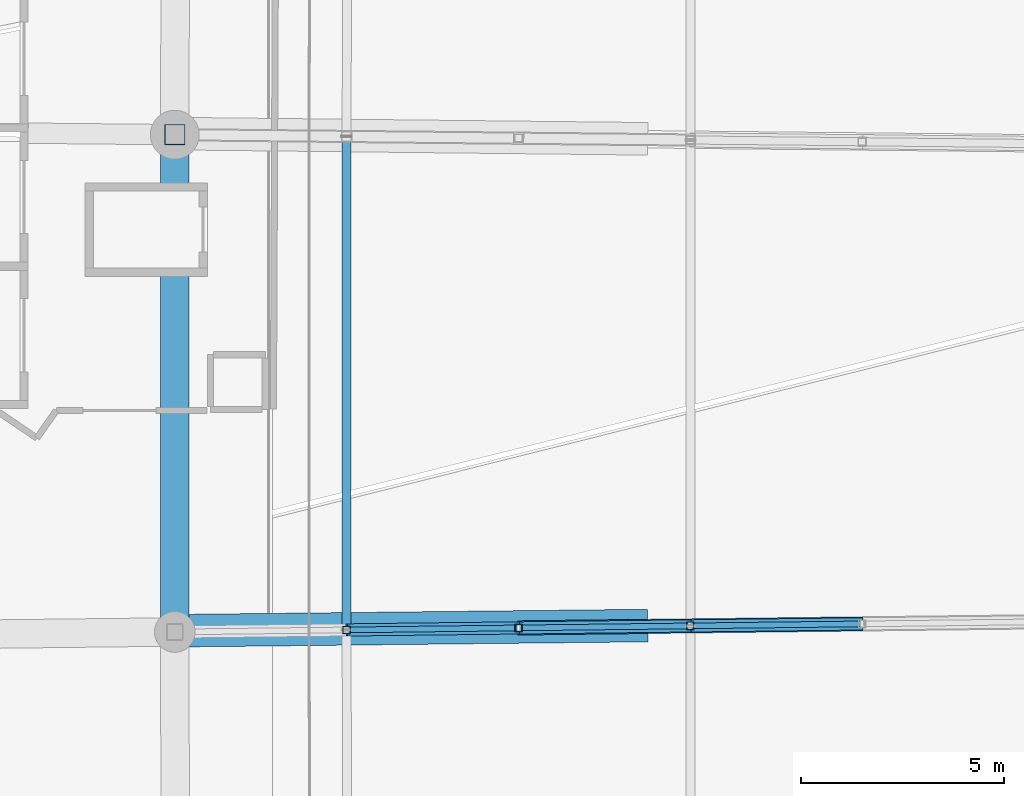
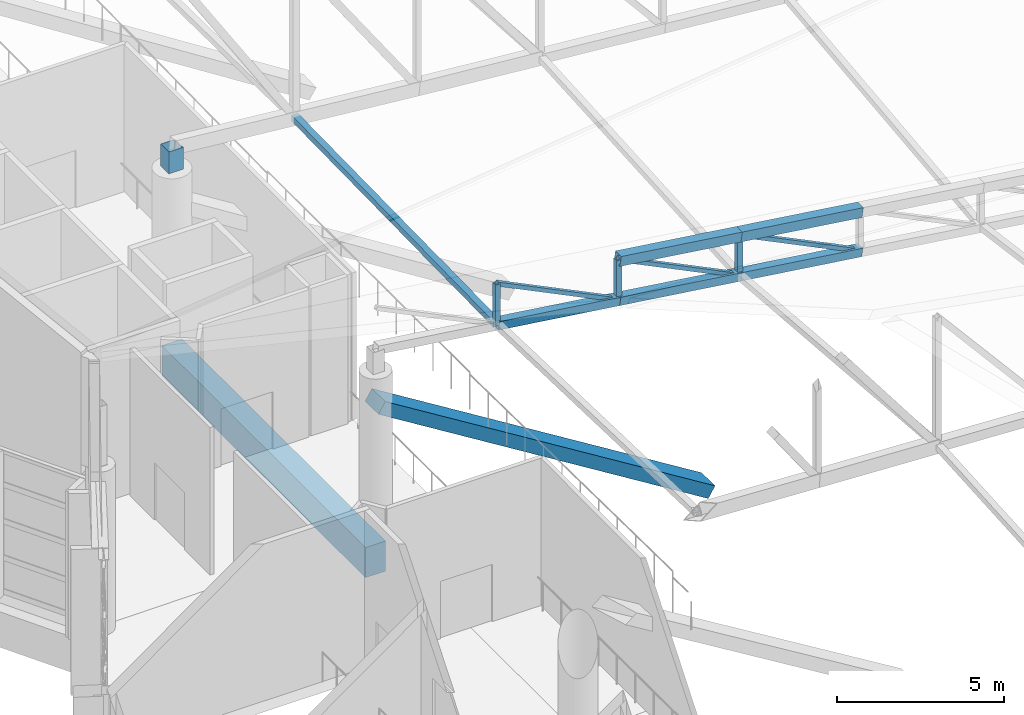
# One storey, part 59 of 344: 13 members, 2 beams.
"""IFC4 building model written with IfcOpenShell, lengths in metres."""

from ifc_helpers import new_model, si_unit, direction, frame, origin, origin_2d, place, context, subcontext, project, spatial, rectangle, hollow_rectangle, extrude, material, material_profile, profile_set, type_object, element, save


model = new_model("IFC4")

# Units and contexts
model_context = context("Model", 3, precision=1e-05, world=origin(), true_north=direction((0.0, 1.0)))
body_context = subcontext(model_context, "Body", "Model", "MODEL_VIEW")
ifc_project = project(units=[si_unit("LENGTHUNIT", "METRE"), si_unit("AREAUNIT", "SQUARE_METRE"), si_unit("VOLUMEUNIT", "CUBIC_METRE"), si_unit("PLANEANGLEUNIT", "RADIAN"), si_unit("MASSUNIT", "GRAM", prefix="KILO")], contexts=[model_context])

# Site, building, storey
site_placement = place(None, origin())
site = spatial("IfcSite", under=ifc_project, at=site_placement, CompositionType="ELEMENT")
building_placement = place(site_placement, origin())
building = spatial("IfcBuilding", under=site, at=building_placement, Name="Meseta Stadium", CompositionType="ELEMENT")
storey_placement = place(building_placement, frame((0.0, 0.0, 24.0)))
storey = spatial("IfcBuildingStorey", under=building, at=storey_placement, Name="L04", CompositionType="ELEMENT", Elevation=24.0)

# Beams
ifc_material_1 = material(Name="Concrete C40/50", Category="concrete")
ifc_material_profile_1 = material_profile(ifc_material_1, rectangle(XDim=0.699951171875, YDim=1.10009765625, at=origin_2d()), Name="RC 700x1100")
ifc_profile_set_1 = profile_set([ifc_material_profile_1], Name="Concrete C40/50")
beam_type_1 = type_object("IfcBeamType", Name="RC beam 700x1100", PredefinedType="BEAM", material=ifc_profile_set_1)
beam_1_placement = place(storey_placement, frame((-84.99755859375, 6.081298828125, -0.949951171875), z_axis=(3.9962435e-05, -0.999999999202, 0.0), x_axis=(0.999999999202, 3.9962435e-05, 0.0)))
element("IfcBeam", 1, at=beam_1_placement, inside=storey, type_object=beam_type_1, Name="L04 ring beam frame 32 line P", PredefinedType="BEAM", context=body_context, shape_type="SweptSolid", body=[
    extrude(rectangle(XDim=0.699951171875, YDim=1.10009765625, at=origin_2d()), origin(), (0.0, 0.0, 1.0), 12.218505859375),
])
ifc_material_2 = material(Name="Concrete C40/50", Category="concrete")
ifc_material_profile_2 = material_profile(ifc_material_2, rectangle(XDim=0.800048828125, YDim=0.449951171875, at=origin_2d()), Name="RC 800x450")
ifc_profile_set_2 = profile_set([ifc_material_profile_2], Name="Concrete C40/50")
beam_type_2 = type_object("IfcBeamType", Name="RC raker upper rear 800x450", PredefinedType="USERDEFINED", material=ifc_profile_set_2)
beam_2_placement = place(storey_placement, frame((-73.498046875, -5.981201171875, -2.3662109375), z_axis=(-0.847962583071, -0.009307587003, 0.529974364036), x_axis=(0.010975751222, -0.999939764628, 0.0)))
element("IfcBeam", 2, at=beam_2_placement, inside=storey, type_object=beam_type_2, Name="Raker upper rear frame 33 upper tier", ObjectType="RAKER", PredefinedType="USERDEFINED", context=body_context, shape_type="SweptSolid", body=[
    extrude(rectangle(XDim=0.800048828125, YDim=0.449951171875, at=origin_2d()), origin(), (0.0, 0.0, 1.0), 13.56103515625),
])

# Members
ifc_material_3 = material(Name="Steel S355", Category="steel")
ifc_material_profile_3 = material_profile(ifc_material_3, hollow_rectangle(XDim=0.139892578125, YDim=0.139892578125, WallThickness=0.0048828125, at=origin_2d()), Name="SHS 140x140x5")
ifc_profile_set_3 = profile_set([ifc_material_profile_3], Name="Steel S355")
member_type_1 = type_object("IfcMemberType", Name="SHS 140x140x5 diagonal", PredefinedType="BRACE", material=ifc_profile_set_3)
for number, where, z_axis, x_axis, name in (
    (3, (-68.109375, -5.938720703125, 4.3486328125), (-0.896122355516, -0.010519449382, 0.443682392178), (0.011738045144, -0.999931106775, 0.0), "ROOF TRUSS RT-33 diagonal"),
    (4, (-72.331298828125, -5.98828125, 4.96142578125), (-0.896121865822, -0.010571263553, 0.443682149723), (0.011795860001, -0.999930426423, 0.0), "ROOF TRUSS RT-33 diagonal"),
    (5, (-76.55322265625, -6.0380859375, 5.57421875), (-0.896122355516, -0.010519449382, 0.443682392178), (0.011738045144, -0.999931106775, 0.0), "ROOF TRUSS RT-33 diagonal"),
):
    element("IfcMember", number, at=place(storey_placement, frame(where, z_axis=z_axis, x_axis=x_axis)), inside=storey, type_object=member_type_1, Name=name, PredefinedType="BRACE", context=body_context, shape_type="SweptSolid", body=[
        extrude(hollow_rectangle(XDim=0.139892578125, YDim=0.139892578125, WallThickness=0.0048828125, at=origin_2d()), origin(), (0.0, 0.0, 1.0), 4.71142578125),
    ])
ifc_material_4 = material(Name="Steel S355", Category="steel")
ifc_material_profile_4 = material_profile(ifc_material_4, hollow_rectangle(XDim=0.179931640625, YDim=0.179931640625, WallThickness=0.00634765625, at=origin_2d()), Name="SHS 180x180x6.3")
ifc_profile_set_4 = profile_set([ifc_material_profile_4], Name="Steel S355")
member_type_2 = type_object("IfcMemberType", Name="SHS 180x180x6.3 post", PredefinedType="POST", material=ifc_profile_set_4)
for number, where, z_axis, x_axis, name in (
    (6, (-72.331298828125, -5.98828125, 4.96142578125), (0.0, 0.0, 1.0), (1.0, 0.0, 0.0), "ROOF TRUSS RT-33 post"),
    (7, (-76.55322265625, -6.0380859375, 5.57421875), (0.0, 0.0, 1.0), (1.0, 0.0, 0.0), "ROOF TRUSS RT-33 post"),
):
    element("IfcMember", number, at=place(storey_placement, frame(where, z_axis=z_axis, x_axis=x_axis)), inside=storey, type_object=member_type_2, Name=name, PredefinedType="POST", context=body_context, shape_type="SweptSolid", body=[
        extrude(hollow_rectangle(XDim=0.179931640625, YDim=0.179931640625, WallThickness=0.00634765625, at=origin_2d()), origin(), (0.0, 0.0, 1.0), 1.4775390625),
    ])
member_1_placement = place(storey_placement, frame((-80.775146484375, -6.087646484375, 6.187255859375), z_axis=(0.0, 0.0, 1.0), x_axis=(1.0, 0.0, 0.0)))
element("IfcMember", 8, at=member_1_placement, inside=storey, type_object=member_type_2, Name="ROOF TRUSS RT-33 post", PredefinedType="POST", context=body_context, shape_type="SweptSolid", body=[
    extrude(hollow_rectangle(XDim=0.179931640625, YDim=0.179931640625, WallThickness=0.00634765625, at=origin_2d()), origin(), (0.0, 0.0, 1.0), 1.477294921875),
])
ifc_material_5 = material(Name="Steel S355", Category="steel")
ifc_material_profile_5 = material_profile(ifc_material_5, hollow_rectangle(XDim=0.219970703125, YDim=0.219970703125, WallThickness=0.008056640625, at=origin_2d()), Name="SHS 220x220x8")
ifc_profile_set_5 = profile_set([ifc_material_profile_5], Name="Steel S355")
member_type_3 = type_object("IfcMemberType", Name="SHS 220x220x8 strut", PredefinedType="STRUT", material=ifc_profile_set_5)
member_2_placement = place(storey_placement, frame((-80.775634765625, 6.0380859375, 6.395263671875), z_axis=(4.0262263e-05, -0.999852897554, -0.017151723855), x_axis=(0.999999999189, 4.0268186e-05, 0.0)))
element("IfcMember", 9, at=member_2_placement, inside=storey, type_object=member_type_3, Name="ROOF TRUSS STRUT RT-32/33", PredefinedType="STRUT", context=body_context, shape_type="SweptSolid", body=[
    extrude(hollow_rectangle(XDim=0.219970703125, YDim=0.219970703125, WallThickness=0.008056640625, at=origin_2d()), origin(), (0.0, 0.0, 1.0), 12.12744140625),
])
ifc_material_6 = material(Name="Steel S355", Category="steel")
ifc_material_profile_6 = material_profile(ifc_material_6, hollow_rectangle(XDim=0.300048828125, YDim=0.300048828125, WallThickness=0.010009765625, at=origin_2d()), Name="SHS 300x300x10")
ifc_profile_set_6 = profile_set([ifc_material_profile_6], Name="Steel S355")
member_type_4 = type_object("IfcMemberType", Name="SHS 300x300x10 bottom chord", PredefinedType="CHORD", material=ifc_profile_set_6)
for number, where, z_axis, x_axis, name in (
    (10, (-68.109375, -5.938720703125, 4.3486328125), (-0.989563195146, -0.011616337744, 0.143630579993), (0.011738045144, -0.999931106775, 0.0), "ROOF TRUSS RT-33 bottom chord"),
    (11, (-72.331298828125, -5.98828125, 4.96142578125), (-0.989562535739, -0.011673553304, 0.143630484283), (0.011795860001, -0.999930426423, 0.0), "ROOF TRUSS RT-33 bottom chord"),
):
    element("IfcMember", number, at=place(storey_placement, frame(where, z_axis=z_axis, x_axis=x_axis)), inside=storey, type_object=member_type_4, Name=name, PredefinedType="CHORD", context=body_context, shape_type="SweptSolid", body=[
        extrude(hollow_rectangle(XDim=0.300048828125, YDim=0.300048828125, WallThickness=0.010009765625, at=origin_2d()), origin(), (0.0, 0.0, 1.0), 4.266357421875),
    ])
member_3_placement = place(storey_placement, frame((-76.55322265625, -6.0380859375, 5.57421875), z_axis=(-0.989555060386, -0.011616242252, 0.143686622138), x_axis=(0.011738045144, -0.999931106775, 0.0)))
element("IfcMember", 12, at=member_3_placement, inside=storey, type_object=member_type_4, Name="ROOF TRUSS RT-33 bottom chord", PredefinedType="CHORD", context=body_context, shape_type="SweptSolid", body=[
    extrude(hollow_rectangle(XDim=0.300048828125, YDim=0.300048828125, WallThickness=0.010009765625, at=origin_2d()), origin(), (0.0, 0.0, 1.0), 4.2666015625),
])
ifc_material_7 = material(Name="Steel S355", Category="steel")
ifc_material_profile_7 = material_profile(ifc_material_7, hollow_rectangle(XDim=0.35009765625, YDim=0.35009765625, WallThickness=0.010009765625, at=origin_2d()), Name="SHS 350x350x10")
ifc_profile_set_7 = profile_set([ifc_material_profile_7], Name="Steel S355")
member_type_5 = type_object("IfcMemberType", Name="SHS 350x350x10 top chord", PredefinedType="CHORD", material=ifc_profile_set_7)
member_4_placement = place(storey_placement, frame((-68.109375, -5.938720703125, 5.825927734375), z_axis=(-0.989555060386, -0.011616242252, 0.143686622138), x_axis=(0.011738045144, -0.999931106775, 0.0)))
element("IfcMember", 13, at=member_4_placement, inside=storey, type_object=member_type_5, Name="ROOF TRUSS RT-33 top chord", PredefinedType="CHORD", context=body_context, shape_type="SweptSolid", body=[
    extrude(hollow_rectangle(XDim=0.35009765625, YDim=0.35009765625, WallThickness=0.010009765625, at=origin_2d()), origin(), (0.0, 0.0, 1.0), 4.2666015625),
])
member_5_placement = place(storey_placement, frame((-72.331298828125, -5.98828125, 6.43896484375), z_axis=(-0.989562535739, -0.011673553304, 0.143630484283), x_axis=(0.011795860001, -0.999930426423, 0.0)))
element("IfcMember", 14, at=member_5_placement, inside=storey, type_object=member_type_5, Name="ROOF TRUSS RT-33 top chord", PredefinedType="CHORD", context=body_context, shape_type="SweptSolid", body=[
    extrude(hollow_rectangle(XDim=0.35009765625, YDim=0.35009765625, WallThickness=0.010009765625, at=origin_2d()), origin(), (0.0, 0.0, 1.0), 4.266357421875),
])
ifc_material_8 = material(Name="Steel S355", Category="steel")
ifc_material_profile_8 = material_profile(ifc_material_8, hollow_rectangle(XDim=0.5, YDim=0.5, WallThickness=0.01611328125, at=origin_2d()), Name="SHS 500x500x16")
ifc_profile_set_8 = profile_set([ifc_material_profile_8], Name="Steel S355")
member_type_6 = type_object("IfcMemberType", Name="SHS 500x500x16 pedestal", PredefinedType="POST", material=ifc_profile_set_8)
member_6_placement = place(storey_placement, frame((-84.99755859375, 6.081298828125, 6.0), z_axis=(0.0, 0.0, 1.0), x_axis=(1.0, 0.0, 0.0)))
element("IfcMember", 15, at=member_6_placement, inside=storey, type_object=member_type_6, Name="ROOF TRUSS RT-32 pedestal", PredefinedType="POST", context=body_context, shape_type="SweptSolid", body=[
    extrude(hollow_rectangle(XDim=0.5, YDim=0.5, WallThickness=0.01611328125, at=origin_2d()), origin(), (0.0, 0.0, 1.0), 0.800048828125),
])

save(model, "model.ifc")
